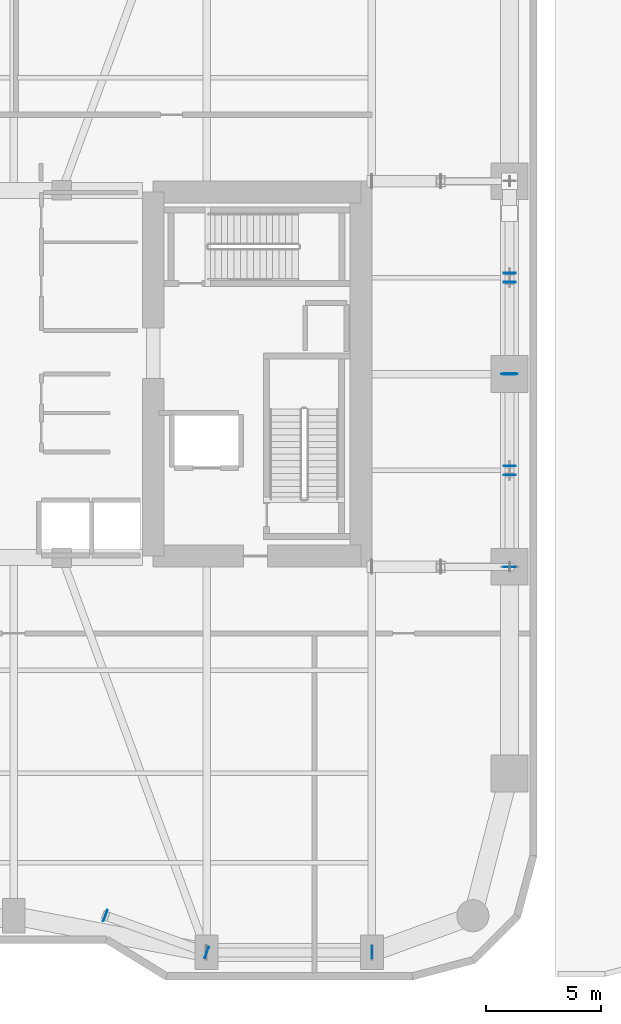
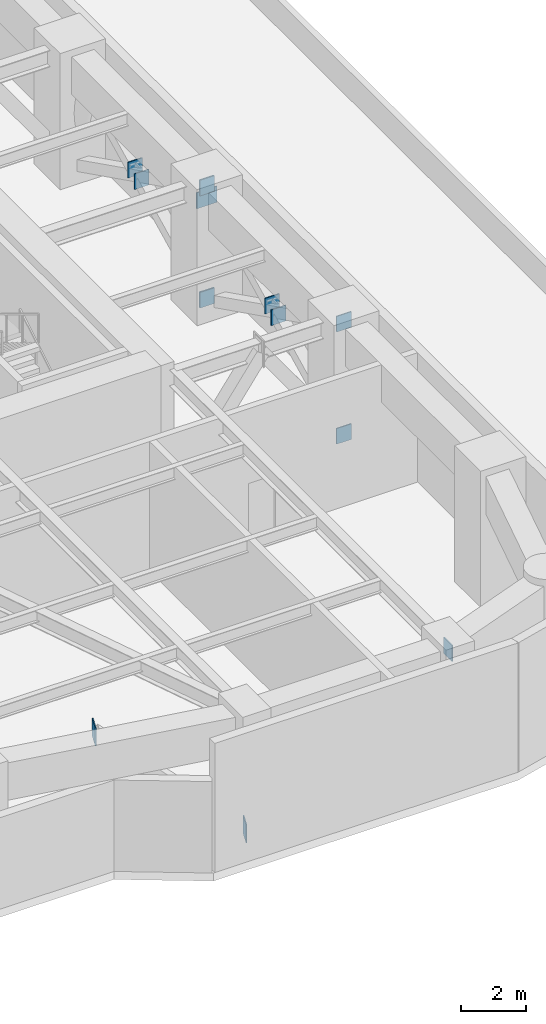
# One storey, part 9 of 16: 14 plates.
"""IFC4 building model written with IfcOpenShell, lengths in metres."""

import ifcopenshell
import ifcopenshell.guid

model = None  # the IFC model being written
_history = None  # IfcOwnerHistory: only IFC2X3 demands one
_inside = {}  # id of a spatial element -> (the spatial element, [elements in it])
_under = {}  # id of a project, library or spatial element -> (it, [spatial elements below it])
_declared = {}  # id of a project -> (the project, [libraries it declares])
_typed = {}  # id of a type object -> (the type object, [elements of that type])
_made_of = {}  # id of a material, layer set ... -> (it, [elements and type objects made of it])


def new_model(schema):
    """Start an empty IFC model of exactly this schema.

    Asked for "IFC4X3", IfcOpenShell would pick the latest addendum, in which some entities
    have other attributes; the version numbers below select the first issue.
    IFC2X3 requires an IfcOwnerHistory on every rooted entity: one is made here for all.
    """
    global model, _history
    if schema == "IFC4X3":
        model = ifcopenshell.file(schema_version=(4, 3, 0, 0))
    else:
        model = ifcopenshell.file(schema=schema)
    _inside.clear()
    _under.clear()
    _declared.clear()
    _typed.clear()
    _made_of.clear()
    _history = None
    if model.schema == "IFC2X3":
        org = make("IfcOrganization", Name="unknown")
        user = make(
            "IfcPersonAndOrganization",
            ThePerson=make("IfcPerson", FamilyName="unknown"),
            TheOrganization=org,
        )
        app = make(
            "IfcApplication",
            ApplicationDeveloper=org,
            Version="unknown",
            ApplicationFullName="unknown",
            ApplicationIdentifier="unknown",
        )
        _history = make(
            "IfcOwnerHistory",
            OwningUser=user,
            OwningApplication=app,
            ChangeAction="ADDED",
            CreationDate=0,
        )
    return model


def make(cls, **values):
    """One entity of the class cls with the attributes given. An attribute that is None is left unset."""
    return model.create_entity(
        cls, **{name: value for name, value in values.items() if value is not None}
    )


def rooted(cls, **values):
    """An entity with a GlobalId (a new one), such as an element, a storey or a relation."""
    return make(cls, GlobalId=ifcopenshell.guid.new(), OwnerHistory=_history, **values)


def si_unit(unit_type, name, prefix=None):
    """IfcSIUnit, for example si_unit("LENGTHUNIT", "METRE", prefix="MILLI")."""
    return make("IfcSIUnit", UnitType=unit_type, Prefix=prefix, Name=name)


def assignment(units):
    """IfcUnitAssignment: the units of a project."""
    return None if units is None else make("IfcUnitAssignment", Units=units)


def point(xyz):
    """IfcCartesianPoint."""
    return None if xyz is None else make("IfcCartesianPoint", Coordinates=xyz)


def direction(xyz):
    """IfcDirection."""
    return None if xyz is None else make("IfcDirection", DirectionRatios=xyz)


def frame(location, z_axis=None, x_axis=None):
    """IfcAxis2Placement3D, a coordinate frame: its origin and axes. An axis left out is left unset."""
    return make(
        "IfcAxis2Placement3D",
        Location=point(location),
        Axis=direction(z_axis),
        RefDirection=direction(x_axis),
    )


def frame_2d(location, x_axis=None):
    """IfcAxis2Placement2D, a coordinate frame in the plane: its origin and x axis."""
    return make(
        "IfcAxis2Placement2D", Location=point(location), RefDirection=direction(x_axis)
    )


def origin():
    """The frame at (0, 0, 0) with its axes left unset."""
    return frame((0.0, 0.0, 0.0))


def origin_2d():
    """The frame at (0, 0) in the plane with its x axis left unset."""
    return frame_2d((0.0, 0.0))


def place(relative_to, where):
    """IfcLocalPlacement: puts the frame where relative to a parent placement (None: the world)."""
    return make(
        "IfcLocalPlacement", PlacementRelTo=relative_to, RelativePlacement=where
    )


def context(
    kind, dimensions, precision=None, world=None, true_north=None, identifier=None
):
    """IfcGeometricRepresentationContext, for example the 3D "Model" context."""
    return make(
        "IfcGeometricRepresentationContext",
        ContextIdentifier=identifier,
        ContextType=kind,
        CoordinateSpaceDimension=dimensions,
        Precision=precision,
        WorldCoordinateSystem=world,
        TrueNorth=true_north,
    )


def subcontext(parent, identifier, kind, view, scale=None):
    """IfcGeometricRepresentationSubContext, for example "Body" below "Model"."""
    return make(
        "IfcGeometricRepresentationSubContext",
        ContextIdentifier=identifier,
        ContextType=kind,
        ParentContext=parent,
        TargetScale=scale,
        TargetView=view,
    )


def project(units=None, contexts=None):
    """IfcProject with its units and contexts."""
    return rooted(
        "IfcProject",
        Name="project",
        RepresentationContexts=contexts,
        UnitsInContext=assignment(units),
    )


def spatial(cls, under=None, at=None, **own):
    """A site, building, storey or space (cls), placed at a placement, below another one or the project."""
    s = rooted(cls, ObjectPlacement=at, **own)
    if under is not None:
        _under.setdefault(under.id(), (under, []))[1].append(s)
    return s


def profile(cls, at=None, kind="AREA", **sizes):
    """A parametric profile (cls). Its sizes go by their IFC names, for example OverallWidth=200.0."""
    return make(cls, ProfileType=kind, Position=at, **sizes)


def rectangle(**sizes):
    """IfcRectangleProfileDef."""
    return profile("IfcRectangleProfileDef", **sizes)


def extrude(swept, where, along, depth):
    """IfcExtrudedAreaSolid: the profile swept, set in the frame where, extruded along a direction by depth."""
    return make(
        "IfcExtrudedAreaSolid",
        SweptArea=swept,
        Position=where,
        ExtrudedDirection=direction(along),
        Depth=depth,
    )


def shape(context_of_items, identifier, shape_type, items):
    """IfcShapeRepresentation: the items that make up one representation, for example the "Body"."""
    return make(
        "IfcShapeRepresentation",
        ContextOfItems=context_of_items,
        RepresentationIdentifier=identifier,
        RepresentationType=shape_type,
        Items=items,
    )


def material(Name=None, Category=None):
    """IfcMaterial."""
    return make("IfcMaterial", Name=Name, Category=Category)


def layer(
    of_material, thickness, ventilated=None, Name=None, Category=None, Priority=None
):
    """IfcMaterialLayer: one layer of a wall or slab, of a material (None: an air gap)."""
    return make(
        "IfcMaterialLayer",
        Material=of_material,
        LayerThickness=thickness,
        IsVentilated=ventilated,
        Name=Name,
        Category=Category,
        Priority=Priority,
    )


def layer_set(layers, Name=None):
    """IfcMaterialLayerSet."""
    return make("IfcMaterialLayerSet", MaterialLayers=layers, LayerSetName=Name)


def made_of(thing, what):
    """Note that an element or type object is made of a material, layer set ...; save() writes the relation."""
    if what is not None:
        _made_of.setdefault(what.id(), (what, []))[1].append(thing)
    return thing


def type_object(cls, material=None, **own):
    """A type object (cls), such as IfcWallType, which elements share."""
    return made_of(rooted(cls, **own), material)


def element(
    cls,
    number,
    at=None,
    inside=None,
    cuts=None,
    type_object=None,
    material=None,
    context=None,
    identifier="Body",
    shape_type=None,
    held_by="IfcProductDefinitionShape",
    body=None,
    shapes=None,
    **own,
):
    """One element of the class cls, such as IfcWall. Its Tag is "e" and its number.

    at: its placement. inside: the storey or other place that contains it. cuts: it is an
    opening in that element (IfcRelVoidsElement). A single representation is given by context,
    identifier, shape_type and body (its items); several are given by shapes. held_by: the class
    of the entity that holds the representations. save() writes the other relations.
    """
    e = rooted(cls, Tag="e%d" % number, ObjectPlacement=at, **own)
    if body is not None:
        shapes = [shape(context, identifier, shape_type, body)]
    if shapes is not None:
        e.Representation = make(held_by, Representations=shapes)
    if inside is not None:
        _inside.setdefault(inside.id(), (inside, []))[1].append(e)
    if cuts is not None:
        rooted(
            "IfcRelVoidsElement", RelatingBuildingElement=cuts, RelatedOpeningElement=e
        )
    if type_object is not None:
        _typed.setdefault(type_object.id(), (type_object, []))[1].append(e)
    return made_of(e, material)


def aggregate(whole, parts):
    """IfcRelAggregates: a whole, such as a stair, and the parts it consists of."""
    return rooted("IfcRelAggregates", RelatingObject=whole, RelatedObjects=parts)


def save(model, path):
    """Write the relations noted so far, then the file.

    IfcRelAggregates (storeys below a building ...), IfcRelContainedInSpatialStructure (elements
    in a storey), IfcRelDefinesByType, IfcRelAssociatesMaterial and IfcRelDeclares: one each for
    every whole, place, type object, material and project.
    """
    for whole, parts in _under.values():
        aggregate(whole, parts)
    for where, things in _inside.values():
        rooted(
            "IfcRelContainedInSpatialStructure",
            RelatedElements=things,
            RelatingStructure=where,
        )
    for kind, things in _typed.values():
        rooted("IfcRelDefinesByType", RelatedObjects=things, RelatingType=kind)
    for what, things in _made_of.values():
        rooted("IfcRelAssociatesMaterial", RelatedObjects=things, RelatingMaterial=what)
    for by, libraries in _declared.values():
        rooted("IfcRelDeclares", RelatingContext=by, RelatedDefinitions=libraries)
    model.write(path)


model = new_model("IFC4")

# Units and contexts
model_context = context("Model", 3, precision=1e-05, world=origin(), true_north=direction((0.0, 1.0)))
body_context = subcontext(model_context, "Body", "Model", "MODEL_VIEW")
ifc_project = project(units=[si_unit("LENGTHUNIT", "METRE"), si_unit("AREAUNIT", "SQUARE_METRE"), si_unit("VOLUMEUNIT", "CUBIC_METRE"), si_unit("PLANEANGLEUNIT", "RADIAN"), si_unit("MASSUNIT", "GRAM", prefix="KILO")], contexts=[model_context])

# Site, building, storey
site_placement = place(None, origin())
site = spatial("IfcSite", under=ifc_project, at=site_placement, CompositionType="ELEMENT")
building_placement = place(site_placement, origin())
building = spatial("IfcBuilding", under=site, at=building_placement, Name="Kiyonajd Concourse Tower", CompositionType="ELEMENT")
storey_placement = place(building_placement, frame((0.0, 0.0, 80.699951171875)))
storey = spatial("IfcBuildingStorey", under=building, at=storey_placement, Name="L21", CompositionType="ELEMENT", Elevation=80.699951171875)

# Plates
ifc_material = material(Name="Steel ASTM A572 Grade 50", Category="steel")
ifc_layer_1 = layer(ifc_material, 0.031982421875)
ifc_layer_set_1 = layer_set([ifc_layer_1], Name="Steel ASTM A572 Grade 50")
plate_type_1 = type_object("IfcPlateType", Name="PL-CAP-540", PredefinedType="USERDEFINED", material=ifc_layer_set_1)
for number, where, z_axis, x_axis, name in (
    (1, (51.9921875, 12.40283203125, 4.15869140625), (0.0, 0.0, 1.0), (-0.939811951086, 0.341692107891, 0.0), "L21 Outrigger End Cap Plate 11"),
    (2, (56.40771484375, 10.797119140625, -0.0458984375), (0.0, 0.0, 1.0), (0.939811951086, -0.341692107891, 0.0), "L21 Outrigger Far End Cap Plate 11"),
):
    element("IfcPlate", number, at=place(storey_placement, frame(where, z_axis=z_axis, x_axis=x_axis)), inside=storey, type_object=plate_type_1, Name=name, ObjectType="CAP PLATE", PredefinedType="USERDEFINED", context=body_context, shape_type="SweptSolid", body=[
        extrude(rectangle(XDim=0.035888671875, YDim=0.52001953125, at=origin_2d()), origin(), (0.0, 0.0, 1.0), 0.677001953125),
    ])
plate_1_placement = place(storey_placement, frame((63.609619140625, 10.800048828125, 4.194091796875), z_axis=(0.0, 0.0, 1.0), x_axis=(1.0, 0.0, 0.0)))
element("IfcPlate", 3, at=plate_1_placement, inside=storey, type_object=plate_type_1, Name="L21 Outrigger Far End Cap Plate 12", ObjectType="CAP PLATE", PredefinedType="USERDEFINED", context=body_context, shape_type="SweptSolid", body=[
    extrude(rectangle(XDim=0.035888671875, YDim=0.52001953125, at=origin_2d()), origin(), (0.0, 0.0, 1.0), 0.60302734375),
])
for number, where, z_axis, x_axis, name in (
    (4, (69.60009765625, 27.590087890625, 4.201416015625), (0.0, 0.0, 1.0), (0.0, -1.0, 0.0), "L21 X Brace End Cap E1"),
    (5, (69.60009765625, 36.009765625, 0.001708984375), (0.0, 0.0, 1.0), (0.0, 1.0, 0.0), "L21 X Brace Far End Cap E1"),
    (6, (69.60009765625, 27.590087890625, 0.001708984375), (0.0, 0.0, 1.0), (0.0, -1.0, 0.0), "L21 Split X Brace Outer Cap E1"),
    (7, (69.60009765625, 36.009765625, 4.201416015625), (0.0, 0.0, 1.0), (0.0, 1.0, 0.0), "L21 Split X Brace Outer Cap E1"),
    (8, (69.60009765625, 31.60400390625, 2.00390625), (0.0, 0.0, 1.0), (0.0, 1.0, 0.0), "L21 Split X Brace Node Collar E1"),
    (9, (69.60009765625, 31.99609375, 2.199462890625), (0.0, 0.0, 1.0), (0.0, -1.0, 0.0), "L21 Split X Brace Node Collar E1"),
    (10, (69.60009765625, 35.990234375, 4.201416015625), (0.0, 0.0, 1.0), (0.0, -1.0, 0.0), "L21 X Brace End Cap E2"),
    (11, (69.60009765625, 35.990234375, 0.001708984375), (0.0, 0.0, 1.0), (0.0, -1.0, 0.0), "L21 Split X Brace Outer Cap E2"),
    (12, (69.60009765625, 40.00390625, 2.00390625), (0.0, 0.0, 1.0), (0.0, 1.0, 0.0), "L21 Split X Brace Node Collar E2"),
    (13, (69.60009765625, 40.39599609375, 2.199462890625), (0.0, 0.0, 1.0), (0.0, -1.0, 0.0), "L21 Split X Brace Node Collar E2"),
):
    element("IfcPlate", number, at=place(storey_placement, frame(where, z_axis=z_axis, x_axis=x_axis)), inside=storey, type_object=plate_type_1, Name=name, ObjectType="CAP PLATE", PredefinedType="USERDEFINED", context=body_context, shape_type="SweptSolid", body=[
        extrude(rectangle(XDim=0.035888671875, YDim=0.52001953125, at=origin_2d()), origin(), (0.0, 0.0, 1.0), 0.5869140625),
    ])
ifc_layer_2 = layer(ifc_material, 0.60009765625)
ifc_layer_set_2 = layer_set([ifc_layer_2], Name="Steel ASTM A572 Grade 50")
plate_type_2 = type_object("IfcPlateType", Name="PL-GUS-KN1", PredefinedType="USERDEFINED", material=ifc_layer_set_2)
plate_2_placement = place(storey_placement, frame((69.60009765625, 36.0, 3.75), z_axis=(0.0, 0.0, 1.0), x_axis=(1.0, 0.0, 0.0)))
element("IfcPlate", 14, at=plate_2_placement, inside=storey, type_object=plate_type_2, Name="Structural Node Assembly Gusset BN1", ObjectType="GUSSET PLATE", PredefinedType="USERDEFINED", context=body_context, shape_type="SweptSolid", body=[
    extrude(rectangle(XDim=0.719970703125, YDim=0.0400390625, at=origin_2d()), origin(), (0.0, 0.0, 1.0), 0.60009765625),
])

save(model, "model.ifc")
